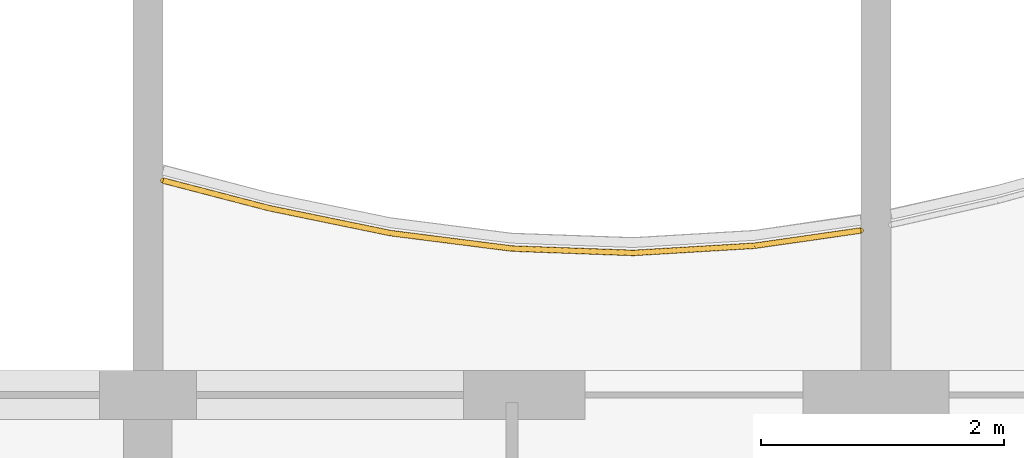
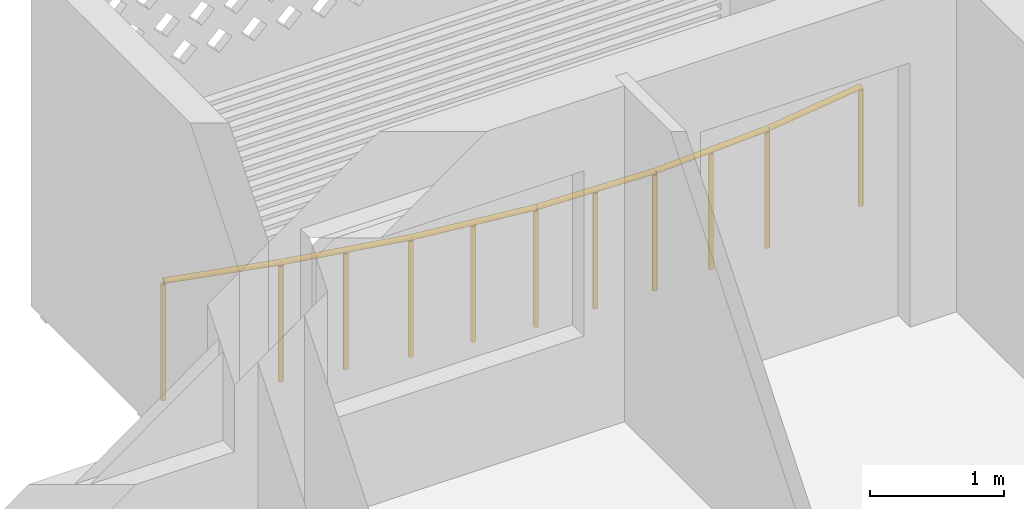
# One storey, part 31 of 38: 1 railing.
"""IFC4 building model written with IfcOpenShell, lengths in metres."""

from ifc_helpers import new_model, si_unit, direction, frame, origin, origin_2d, place, context, subcontext, project, spatial, circle, extrude, material, type_object, element, save


model = new_model("IFC4")

# Units and contexts
model_context = context("Model", 3, precision=1e-05, world=origin(), true_north=direction((0.0, 1.0)))
body_context = subcontext(model_context, "Body", "Model", "MODEL_VIEW")
ifc_project = project(units=[si_unit("LENGTHUNIT", "METRE"), si_unit("AREAUNIT", "SQUARE_METRE"), si_unit("VOLUMEUNIT", "CUBIC_METRE"), si_unit("PLANEANGLEUNIT", "RADIAN"), si_unit("MASSUNIT", "GRAM", prefix="KILO")], contexts=[model_context])

# Site, building, storey
site_placement = place(None, origin())
site = spatial("IfcSite", under=ifc_project, at=site_placement, CompositionType="ELEMENT")
building_placement = place(site_placement, origin())
building = spatial("IfcBuilding", under=site, at=building_placement, Name="Poui Terraces", CompositionType="ELEMENT")
storey_placement = place(building_placement, frame((0.0, 0.0, 43.199951171875)))
storey = spatial("IfcBuildingStorey", under=building, at=storey_placement, Name="L11", CompositionType="ELEMENT", Elevation=43.199951171875)

# Railing
ifc_material = material(Name="Painted steel fretwork", Category="steel")
railing_type = type_object("IfcRailingType", Name="BALCONY GUARD 1100", PredefinedType="GUARDRAIL", material=ifc_material)
railing_placement = place(storey_placement, frame((66.125, 46.56689453125, 0.0)))
element("IfcRailing", 1, at=railing_placement, inside=storey, type_object=railing_type, Name="BALCONY GUARD", PredefinedType="GUARDRAIL", context=body_context, shape_type="SweptSolid", body=[
    extrude(circle(Radius=0.02392578125, at=origin_2d()), frame((0.0, 0.0, 1.076171875), z_axis=(0.967811983713, -0.251674321657, 0.0), x_axis=(0.251674321657, 0.967811983713, 0.0)), (0.0, 0.0, 1.0), 0.904052734375),
    extrude(circle(Radius=0.02392578125, at=origin_2d()), frame((0.875, -0.2275390625, 1.076171875), z_axis=(0.979518122884, -0.201356020378, 0.0), x_axis=(0.201356020378, 0.979518122884, 0.0)), (0.0, 0.0, 1.0), 1.02099609375),
    extrude(circle(Radius=0.02392578125, at=origin_2d()), frame((1.875, -0.43310546875, 1.076171875), z_axis=(0.992007284566, -0.126180614077, 0.0), x_axis=(0.126180614077, 0.992007284566, 0.0)), (0.0, 0.0, 1.0), 1.008056640625),
    extrude(circle(Radius=0.02392578125, at=origin_2d()), frame((2.875, -0.560302734375, 1.076171875), z_axis=(0.999356623049, -0.035865581931, 0.0), x_axis=(0.035865581931, 0.999356623049, 0.0)), (0.0, 0.0, 1.0), 1.000732421875),
    extrude(circle(Radius=0.02392578125, at=origin_2d()), frame((3.875, -0.59619140625, 1.076171875), z_axis=(0.998244834412, 0.05922204462, 0.0), x_axis=(-0.05922204462, 0.998244834412, 0.0)), (0.0, 0.0, 1.0), 1.001708984375),
    extrude(circle(Radius=0.02392578125, at=origin_2d()), frame((4.875, -0.536865234375, 1.076171875), z_axis=(0.9898720119, 0.14196267135, 0.0), x_axis=(-0.14196267135, 0.9898720119, 0.0)), (0.0, 0.0, 1.0), 0.884033203125),
    extrude(circle(Radius=0.02099609375, at=origin_2d()), origin(), (0.0, 0.0, 1.0), 1.052001953125),
    extrude(circle(Radius=0.02099609375, at=origin_2d()), frame((0.875, -0.2275390625, 0.0)), (0.0, 0.0, 1.0), 1.052001953125),
    extrude(circle(Radius=0.02099609375, at=origin_2d()), frame((1.375, -0.330322265625, 0.0)), (0.0, 0.0, 1.0), 1.052001953125),
    extrude(circle(Radius=0.02099609375, at=origin_2d()), frame((1.875, -0.43310546875, 0.0)), (0.0, 0.0, 1.0), 1.052001953125),
    extrude(circle(Radius=0.02099609375, at=origin_2d()), frame((2.375, -0.49658203125, 0.0)), (0.0, 0.0, 1.0), 1.052001953125),
    extrude(circle(Radius=0.02099609375, at=origin_2d()), frame((2.875, -0.560302734375, 0.0)), (0.0, 0.0, 1.0), 1.052001953125),
    extrude(circle(Radius=0.02099609375, at=origin_2d()), frame((3.375, -0.578125, 0.0)), (0.0, 0.0, 1.0), 1.052001953125),
    extrude(circle(Radius=0.02099609375, at=origin_2d()), frame((3.875, -0.59619140625, 0.0)), (0.0, 0.0, 1.0), 1.052001953125),
    extrude(circle(Radius=0.02099609375, at=origin_2d()), frame((4.375, -0.56640625, 0.0)), (0.0, 0.0, 1.0), 1.052001953125),
    extrude(circle(Radius=0.02099609375, at=origin_2d()), frame((4.875, -0.536865234375, 0.0)), (0.0, 0.0, 1.0), 1.052001953125),
    extrude(circle(Radius=0.02099609375, at=origin_2d()), frame((5.75, -0.411376953125, 0.0)), (0.0, 0.0, 1.0), 1.052001953125),
])

save(model, "model.ifc")
